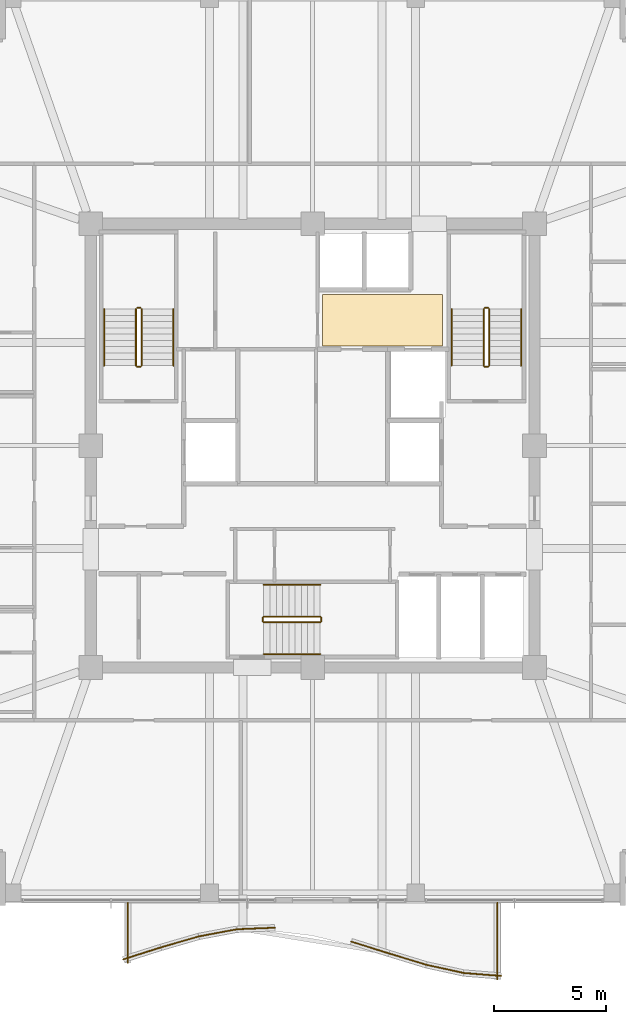
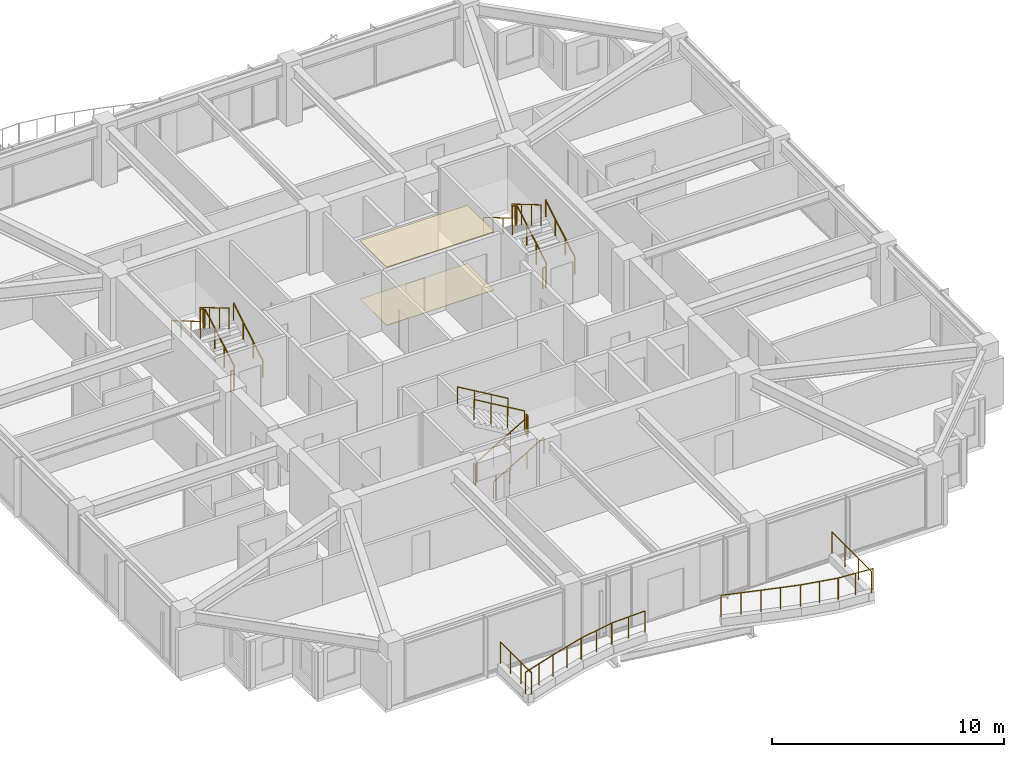
# One storey, part 35 of 36: 28 railings, 2 coverings.
"""IFC4 building model written with IfcOpenShell, lengths in metres."""

from ifc_helpers import new_model, si_unit, direction, frame, origin, origin_2d, place, context, subcontext, project, spatial, polyline, circle, outline, extrude, material, layer, layer_set, type_object, element, save


model = new_model("IFC4")

# Units and contexts
model_context = context("Model", 3, precision=1e-05, world=origin(), true_north=direction((0.0, 1.0)))
body_context = subcontext(model_context, "Body", "Model", "MODEL_VIEW")
ifc_project = project(units=[si_unit("LENGTHUNIT", "METRE"), si_unit("AREAUNIT", "SQUARE_METRE"), si_unit("VOLUMEUNIT", "CUBIC_METRE"), si_unit("PLANEANGLEUNIT", "RADIAN"), si_unit("MASSUNIT", "GRAM", prefix="KILO")], contexts=[model_context])

# Site, building, storey
site_placement = place(None, origin())
site = spatial("IfcSite", under=ifc_project, at=site_placement, CompositionType="ELEMENT")
building_placement = place(site_placement, origin())
building = spatial("IfcBuilding", under=site, at=building_placement, Name="Kolvaren Belvedere", CompositionType="ELEMENT")
storey_placement = place(building_placement, frame((0.0, 0.0, 196.5)))
storey = spatial("IfcBuildingStorey", under=building, at=storey_placement, Name="L57", CompositionType="ELEMENT", Elevation=196.5)

# Coverings
ifc_material_1 = material(Name="Acoustic perforated gypsum board", Category="gypsum")
ifc_layer_1 = layer(ifc_material_1, 0.02490234375)
ifc_layer_set_1 = layer_set([ifc_layer_1], Name="Acoustic perforated gypsum board")
covering_type_1 = type_object("IfcCoveringType", Name="COV-CEIL-GYP", PredefinedType="CEILING", material=ifc_layer_set_1)
covering_1_placement = place(storey_placement, frame((0.0, 0.0, 3.054931640625)))
element("IfcCovering", 1, at=covering_1_placement, inside=storey, type_object=covering_type_1, Name="L57 Lift Lobby Acoustic Baffle Ceiling", PredefinedType="CEILING", context=body_context, shape_type="SweptSolid", body=[
    extrude(outline(polyline([(0.449951171875, 4.449951171875), (5.800048828125, 4.449951171875), (5.800048828125, 6.75), (0.449951171875, 6.75), (0.449951171875, 4.449951171875)])), origin(), (0.0, 0.0, 1.0), 0.025146484375),
])
ifc_material_2 = material(Name="Engineered Pacific white oak", Category="timber")
ifc_layer_2 = layer(ifc_material_2, 0.02001953125)
ifc_layer_set_2 = layer_set([ifc_layer_2], Name="Engineered Pacific white oak")
covering_type_2 = type_object("IfcCoveringType", Name="COV-FLR-OAK", PredefinedType="FLOORING", material=ifc_layer_set_2)
covering_2_placement = place(storey_placement, origin())
element("IfcCovering", 2, at=covering_2_placement, inside=storey, type_object=covering_type_2, Name="L57 Lift Lobby Finish Flooring", PredefinedType="FLOORING", context=body_context, shape_type="SweptSolid", body=[
    extrude(outline(polyline([(0.449951171875, 4.449951171875), (5.800048828125, 4.449951171875), (5.800048828125, 6.75), (0.449951171875, 6.75), (0.449951171875, 4.449951171875)])), origin(), (0.0, 0.0, 1.0), 0.02001953125),
])

# Railings
ifc_material_3 = material(Name="Anodised pale-metal aluminium & laminated glass guard", Category="aluminium")
railing_type_1 = type_object("IfcRailingType", Name="RL-GUARD-1150", PredefinedType="GUARDRAIL", material=ifc_material_3)
railing_1_placement = place(storey_placement, frame((-8.448486328125, -22.92138671875, 0.3798828125)))
element("IfcRailing", 3, at=railing_1_placement, inside=storey, type_object=railing_type_1, Name="L57 Exterior Deck Safety Guard BAL-S-1", PredefinedType="GUARDRAIL", context=body_context, shape_type="SweptSolid", body=[
    extrude(circle(Radius=0.02392578125, at=origin_2d()), frame((0.0, 0.0, 1.1259765625), z_axis=(0.952661770826, 0.304032153573, 0.0), x_axis=(-0.304032153573, 0.952661770826, 0.0)), (0.0, 0.0, 1.0), 1.763427734375),
    extrude(circle(Radius=0.02099609375, at=origin_2d()), origin(), (0.0, 0.0, 1.0), 1.101806640625),
    extrude(circle(Radius=0.02099609375, at=origin_2d()), frame((0.83984375, 0.26806640625, 0.0)), (0.0, 0.0, 1.0), 1.101806640625),
    extrude(circle(Radius=0.02099609375, at=origin_2d()), frame((1.679931640625, 0.5361328125, 0.0)), (0.0, 0.0, 1.0), 1.101806640625),
])
railing_2_placement = place(storey_placement, frame((-6.764404296875, -22.3837890625, 0.3798828125)))
element("IfcRailing", 4, at=railing_2_placement, inside=storey, type_object=railing_type_1, Name="L57 Exterior Deck Safety Guard BAL-S-2", PredefinedType="GUARDRAIL", context=body_context, shape_type="SweptSolid", body=[
    extrude(circle(Radius=0.02392578125, at=origin_2d()), frame((0.0, 0.0, 1.1259765625), z_axis=(0.960633903819, 0.277817391164, 0.0), x_axis=(-0.277817391164, 0.960633903819, 0.0)), (0.0, 0.0, 1.0), 1.748779296875),
    extrude(circle(Radius=0.02099609375, at=origin_2d()), origin(), (0.0, 0.0, 1.0), 1.101806640625),
    extrude(circle(Radius=0.02099609375, at=origin_2d()), frame((0.83984375, 0.242919921875, 0.0)), (0.0, 0.0, 1.0), 1.101806640625),
    extrude(circle(Radius=0.02099609375, at=origin_2d()), frame((1.679931640625, 0.48583984375, 0.0)), (0.0, 0.0, 1.0), 1.101806640625),
])
railing_3_placement = place(storey_placement, frame((-5.069580078125, -21.894287109375, 0.3798828125)))
element("IfcRailing", 5, at=railing_3_placement, inside=storey, type_object=railing_type_1, Name="L57 Exterior Deck Safety Guard BAL-S-3", PredefinedType="GUARDRAIL", context=body_context, shape_type="SweptSolid", body=[
    extrude(circle(Radius=0.02392578125, at=origin_2d()), frame((0.0, 0.0, 1.1259765625), z_axis=(0.982799348901, 0.18467658162, 0.0), x_axis=(-0.18467658162, 0.982799348901, 0.0)), (0.0, 0.0, 1.0), 1.709228515625),
    extrude(circle(Radius=0.02099609375, at=origin_2d()), origin(), (0.0, 0.0, 1.0), 1.101806640625),
    extrude(circle(Radius=0.02099609375, at=origin_2d()), frame((0.83984375, 0.15771484375, 0.0)), (0.0, 0.0, 1.0), 1.101806640625),
    extrude(circle(Radius=0.02099609375, at=origin_2d()), frame((1.679931640625, 0.315673828125, 0.0)), (0.0, 0.0, 1.0), 1.101806640625),
])
railing_4_placement = place(storey_placement, frame((-3.366455078125, -21.575927734375, 0.3798828125)))
element("IfcRailing", 6, at=railing_4_placement, inside=storey, type_object=railing_type_1, Name="L57 Exterior Deck Safety Guard BAL-S-4", PredefinedType="GUARDRAIL", context=body_context, shape_type="SweptSolid", body=[
    extrude(circle(Radius=0.02392578125, at=origin_2d()), frame((0.0, 0.0, 1.1259765625), z_axis=(0.999196778482, 0.040072407855, 0.0), x_axis=(-0.040072407855, 0.999196778482, 0.0)), (0.0, 0.0, 1.0), 1.681640625),
    extrude(circle(Radius=0.02099609375, at=origin_2d()), origin(), (0.0, 0.0, 1.0), 1.101806640625),
    extrude(circle(Radius=0.02099609375, at=origin_2d()), frame((0.840087890625, 0.03369140625, 0.0)), (0.0, 0.0, 1.0), 1.101806640625),
    extrude(circle(Radius=0.02099609375, at=origin_2d()), frame((1.68017578125, 0.0673828125, 0.0)), (0.0, 0.0, 1.0), 1.101806640625),
])
railing_5_placement = place(storey_placement, frame((1.727783203125, -22.127685546875, 0.3798828125)))
element("IfcRailing", 7, at=railing_5_placement, inside=storey, type_object=railing_type_1, Name="L57 Exterior Deck Safety Guard BAL-S-7", PredefinedType="GUARDRAIL", context=body_context, shape_type="SweptSolid", body=[
    extrude(circle(Radius=0.02392578125, at=origin_2d()), frame((0.0, 0.0, 1.1259765625), z_axis=(0.954069594374, -0.299585061529, 0.0), x_axis=(0.299585061529, 0.954069594374, 0.0)), (0.0, 0.0, 1.0), 1.760986328125),
    extrude(circle(Radius=0.02099609375, at=origin_2d()), origin(), (0.0, 0.0, 1.0), 1.101806640625),
    extrude(circle(Radius=0.02099609375, at=origin_2d()), frame((0.840087890625, -0.263671875, 0.0)), (0.0, 0.0, 1.0), 1.101806640625),
    extrude(circle(Radius=0.02099609375, at=origin_2d()), frame((1.68017578125, -0.527587890625, 0.0)), (0.0, 0.0, 1.0), 1.101806640625),
])
railing_6_placement = place(storey_placement, frame((3.406494140625, -22.65478515625, 0.3798828125)))
element("IfcRailing", 8, at=railing_6_placement, inside=storey, type_object=railing_type_1, Name="L57 Exterior Deck Safety Guard BAL-S-8", PredefinedType="GUARDRAIL", context=body_context, shape_type="SweptSolid", body=[
    extrude(circle(Radius=0.02392578125, at=origin_2d()), frame((0.0, 0.0, 1.1259765625), z_axis=(0.956771481005, -0.290840734999, 0.0), x_axis=(0.290840734999, 0.956771481005, 0.0)), (0.0, 0.0, 1.0), 1.756103515625),
    extrude(circle(Radius=0.02099609375, at=origin_2d()), origin(), (0.0, 0.0, 1.0), 1.101806640625),
    extrude(circle(Radius=0.02099609375, at=origin_2d()), frame((0.840087890625, -0.25537109375, 0.0)), (0.0, 0.0, 1.0), 1.101806640625),
    extrude(circle(Radius=0.02099609375, at=origin_2d()), frame((1.68017578125, -0.5107421875, 0.0)), (0.0, 0.0, 1.0), 1.101806640625),
])
railing_7_placement = place(storey_placement, frame((5.07421875, -23.162353515625, 0.3798828125)))
element("IfcRailing", 9, at=railing_7_placement, inside=storey, type_object=railing_type_1, Name="L57 Exterior Deck Safety Guard BAL-S-9", PredefinedType="GUARDRAIL", context=body_context, shape_type="SweptSolid", body=[
    extrude(circle(Radius=0.02392578125, at=origin_2d()), frame((0.0, 0.0, 1.1259765625), z_axis=(0.976876857632, -0.213802724545, 0.0), x_axis=(0.213802724545, 0.976876857632, 0.0)), (0.0, 0.0, 1.0), 1.7197265625),
    extrude(circle(Radius=0.02099609375, at=origin_2d()), origin(), (0.0, 0.0, 1.0), 1.101806640625),
    extrude(circle(Radius=0.02099609375, at=origin_2d()), frame((0.83984375, -0.183837890625, 0.0)), (0.0, 0.0, 1.0), 1.101806640625),
    extrude(circle(Radius=0.02099609375, at=origin_2d()), frame((1.679931640625, -0.36767578125, 0.0)), (0.0, 0.0, 1.0), 1.101806640625),
])
railing_8_placement = place(storey_placement, frame((6.732666015625, -23.52685546875, 0.3798828125)))
element("IfcRailing", 10, at=railing_8_placement, inside=storey, type_object=railing_type_1, Name="L57 Exterior Deck Safety Guard BAL-S-10", PredefinedType="GUARDRAIL", context=body_context, shape_type="SweptSolid", body=[
    extrude(circle(Radius=0.02392578125, at=origin_2d()), frame((0.0, 0.0, 1.1259765625), z_axis=(0.99685522818, -0.079244268248, 0.0), x_axis=(0.079244268248, 0.99685522818, 0.0)), (0.0, 0.0, 1.0), 1.685302734375),
    extrude(circle(Radius=0.02099609375, at=origin_2d()), origin(), (0.0, 0.0, 1.0), 1.101806640625),
    extrude(circle(Radius=0.02099609375, at=origin_2d()), frame((0.83984375, -0.06689453125, 0.0)), (0.0, 0.0, 1.0), 1.101806640625),
    extrude(circle(Radius=0.02099609375, at=origin_2d()), frame((1.679931640625, -0.133544921875, 0.0)), (0.0, 0.0, 1.0), 1.101806640625),
])
railing_9_placement = place(storey_placement, frame((8.239990234375, -23.820068359375, 0.3798828125)))
element("IfcRailing", 11, at=railing_9_placement, inside=storey, type_object=railing_type_1, Name="L57 Exterior Deck Safety Guard BAL-S-11", PredefinedType="GUARDRAIL", context=body_context, shape_type="SweptSolid", body=[
    extrude(circle(Radius=0.02392578125, at=origin_2d()), frame((0.0, 0.0, 1.1259765625), z_axis=(0.0, 1.0, 0.0), x_axis=(-1.0, 0.0, 0.0)), (0.0, 0.0, 1.0), 3.420166015625),
    extrude(circle(Radius=0.02099609375, at=origin_2d()), origin(), (0.0, 0.0, 1.0), 1.101806640625),
    extrude(circle(Radius=0.02099609375, at=origin_2d()), frame((0.0, 1.14013671875, 0.0)), (0.0, 0.0, 1.0), 1.101806640625),
    extrude(circle(Radius=0.02099609375, at=origin_2d()), frame((0.0, 2.280029296875, 0.0)), (0.0, 0.0, 1.0), 1.101806640625),
    extrude(circle(Radius=0.02099609375, at=origin_2d()), frame((0.0, 3.420166015625, 0.0)), (0.0, 0.0, 1.0), 1.101806640625),
])
railing_10_placement = place(storey_placement, frame((-8.239990234375, -20.39990234375, 0.3798828125)))
element("IfcRailing", 12, at=railing_10_placement, inside=storey, type_object=railing_type_1, Name="L57 Exterior Deck Safety Guard BAL-S-22", PredefinedType="GUARDRAIL", context=body_context, shape_type="SweptSolid", body=[
    extrude(circle(Radius=0.02392578125, at=origin_2d()), frame((0.0, 0.0, 1.1259765625), z_axis=(0.0, -1.0, 0.0), x_axis=(1.0, 0.0, 0.0)), (0.0, 0.0, 1.0), 2.673828125),
    extrude(circle(Radius=0.02099609375, at=origin_2d()), origin(), (0.0, 0.0, 1.0), 1.101806640625),
    extrude(circle(Radius=0.02099609375, at=origin_2d()), frame((0.0, -0.891357421875, 0.0)), (0.0, 0.0, 1.0), 1.101806640625),
    extrude(circle(Radius=0.02099609375, at=origin_2d()), frame((0.0, -1.782470703125, 0.0)), (0.0, 0.0, 1.0), 1.101806640625),
    extrude(circle(Radius=0.02099609375, at=origin_2d()), frame((0.0, -2.673828125, 0.0)), (0.0, 0.0, 1.0), 1.101806640625),
])
ifc_material_4 = material(Name="Brushed stainless-steel handrail", Category="steel")
railing_type_2 = type_object("IfcRailingType", Name="RL-HANDRAIL-920", PredefinedType="HANDRAIL", material=ifc_material_4)
railing_11_placement = place(storey_placement, frame((-6.2099609375, 3.570068359375, 0.1650390625)))
element("IfcRailing", 13, at=railing_11_placement, inside=storey, type_object=railing_type_2, Name="L57 ST-1 stair handrail 1", PredefinedType="HANDRAIL", context=body_context, shape_type="SweptSolid", body=[
    extrude(circle(Radius=0.02392578125, at=origin_2d()), frame((0.0, 0.0, 0.8759765625), z_axis=(0.0, 0.861560626758, 0.507654692109), x_axis=(-1.0, 0.0, 0.0)), (0.0, 0.0, 1.0), 2.925048828125),
    extrude(circle(Radius=0.02099609375, at=origin_2d()), origin(), (0.0, 0.0, 1.0), 0.851806640625),
    extrude(circle(Radius=0.02099609375, at=origin_2d()), frame((0.0, 0.840087890625, 0.494873046875)), (0.0, 0.0, 1.0), 0.851806640625),
    extrude(circle(Radius=0.02099609375, at=origin_2d()), frame((0.0, 1.679931640625, 0.989990234375)), (0.0, 0.0, 1.0), 0.851806640625),
    extrude(circle(Radius=0.02099609375, at=origin_2d()), frame((0.0, 2.52001953125, 1.48486328125)), (0.0, 0.0, 1.0), 0.851806640625),
])
railing_12_placement = place(storey_placement, frame((-9.300048828125, 6.090087890625, 1.81494140625)))
element("IfcRailing", 14, at=railing_12_placement, inside=storey, type_object=railing_type_2, Name="L57 ST-1 stair handrail 2", PredefinedType="HANDRAIL", context=body_context, shape_type="SweptSolid", body=[
    extrude(circle(Radius=0.02392578125, at=origin_2d()), frame((0.0, 0.0, 0.8759765625), z_axis=(0.0, -0.86152411907, 0.507716645641), x_axis=(1.0, 0.0, 0.0)), (0.0, 0.0, 1.0), 2.925048828125),
    extrude(circle(Radius=0.02099609375, at=origin_2d()), origin(), (0.0, 0.0, 1.0), 0.851806640625),
    extrude(circle(Radius=0.02099609375, at=origin_2d()), frame((0.0, -0.840087890625, 0.4951171875)), (0.0, 0.0, 1.0), 0.851806640625),
    extrude(circle(Radius=0.02099609375, at=origin_2d()), frame((0.0, -1.679931640625, 0.989990234375)), (0.0, 0.0, 1.0), 0.851806640625),
    extrude(circle(Radius=0.02099609375, at=origin_2d()), frame((0.0, -2.52001953125, 1.485107421875)), (0.0, 0.0, 1.0), 0.851806640625),
])
railing_13_placement = place(storey_placement, frame((9.300048828125, 3.570068359375, 0.1650390625)))
element("IfcRailing", 15, at=railing_13_placement, inside=storey, type_object=railing_type_2, Name="L57 ST-2 stair handrail 1", PredefinedType="HANDRAIL", context=body_context, shape_type="SweptSolid", body=[
    extrude(circle(Radius=0.02392578125, at=origin_2d()), frame((0.0, 0.0, 0.8759765625), z_axis=(0.0, 0.861560626758, 0.507654692109), x_axis=(-1.0, 0.0, 0.0)), (0.0, 0.0, 1.0), 2.925048828125),
    extrude(circle(Radius=0.02099609375, at=origin_2d()), origin(), (0.0, 0.0, 1.0), 0.851806640625),
    extrude(circle(Radius=0.02099609375, at=origin_2d()), frame((0.0, 0.840087890625, 0.494873046875)), (0.0, 0.0, 1.0), 0.851806640625),
    extrude(circle(Radius=0.02099609375, at=origin_2d()), frame((0.0, 1.679931640625, 0.989990234375)), (0.0, 0.0, 1.0), 0.851806640625),
    extrude(circle(Radius=0.02099609375, at=origin_2d()), frame((0.0, 2.52001953125, 1.48486328125)), (0.0, 0.0, 1.0), 0.851806640625),
])
railing_14_placement = place(storey_placement, frame((6.2099609375, 6.090087890625, 1.81494140625)))
element("IfcRailing", 16, at=railing_14_placement, inside=storey, type_object=railing_type_2, Name="L57 ST-2 stair handrail 2", PredefinedType="HANDRAIL", context=body_context, shape_type="SweptSolid", body=[
    extrude(circle(Radius=0.02392578125, at=origin_2d()), frame((0.0, 0.0, 0.8759765625), z_axis=(0.0, -0.86152411907, 0.507716645641), x_axis=(1.0, 0.0, 0.0)), (0.0, 0.0, 1.0), 2.925048828125),
    extrude(circle(Radius=0.02099609375, at=origin_2d()), origin(), (0.0, 0.0, 1.0), 0.851806640625),
    extrude(circle(Radius=0.02099609375, at=origin_2d()), frame((0.0, -0.840087890625, 0.4951171875)), (0.0, 0.0, 1.0), 0.851806640625),
    extrude(circle(Radius=0.02099609375, at=origin_2d()), frame((0.0, -1.679931640625, 0.989990234375)), (0.0, 0.0, 1.0), 0.851806640625),
    extrude(circle(Radius=0.02099609375, at=origin_2d()), frame((0.0, -2.52001953125, 1.485107421875)), (0.0, 0.0, 1.0), 0.851806640625),
])
railing_15_placement = place(storey_placement, frame((-2.179931640625, -9.300048828125, 0.1650390625)))
element("IfcRailing", 17, at=railing_15_placement, inside=storey, type_object=railing_type_2, Name="L57 ST-3 stair handrail 1", PredefinedType="HANDRAIL", context=body_context, shape_type="SweptSolid", body=[
    extrude(circle(Radius=0.02392578125, at=origin_2d()), frame((0.0, 0.0, 0.8759765625), z_axis=(0.861560626758, 0.0, 0.507654692109), x_axis=(0.0, 1.0, 0.0)), (0.0, 0.0, 1.0), 2.925048828125),
    extrude(circle(Radius=0.02099609375, at=origin_2d()), origin(), (0.0, 0.0, 1.0), 0.851806640625),
    extrude(circle(Radius=0.02099609375, at=origin_2d()), frame((0.840087890625, 0.0, 0.494873046875)), (0.0, 0.0, 1.0), 0.851806640625),
    extrude(circle(Radius=0.02099609375, at=origin_2d()), frame((1.679931640625, 0.0, 0.989990234375)), (0.0, 0.0, 1.0), 0.851806640625),
    extrude(circle(Radius=0.02099609375, at=origin_2d()), frame((2.52001953125, 0.0, 1.48486328125)), (0.0, 0.0, 1.0), 0.851806640625),
])
railing_16_placement = place(storey_placement, frame((0.340087890625, -6.2099609375, 1.81494140625)))
element("IfcRailing", 18, at=railing_16_placement, inside=storey, type_object=railing_type_2, Name="L57 ST-3 stair handrail 2", PredefinedType="HANDRAIL", context=body_context, shape_type="SweptSolid", body=[
    extrude(circle(Radius=0.02392578125, at=origin_2d()), frame((0.0, 0.0, 0.8759765625), z_axis=(-0.86152411907, 0.0, 0.507716645641), x_axis=(0.0, -1.0, 0.0)), (0.0, 0.0, 1.0), 2.925048828125),
    extrude(circle(Radius=0.02099609375, at=origin_2d()), origin(), (0.0, 0.0, 1.0), 0.851806640625),
    extrude(circle(Radius=0.02099609375, at=origin_2d()), frame((-0.840087890625, 0.0, 0.4951171875)), (0.0, 0.0, 1.0), 0.851806640625),
    extrude(circle(Radius=0.02099609375, at=origin_2d()), frame((-1.679931640625, 0.0, 0.989990234375)), (0.0, 0.0, 1.0), 0.851806640625),
    extrude(circle(Radius=0.02099609375, at=origin_2d()), frame((-2.52001953125, 0.0, 1.485107421875)), (0.0, 0.0, 1.0), 0.851806640625),
])
ifc_material_5 = material(Name="Painted tubular steel stair guard", Category="steel")
railing_type_3 = type_object("IfcRailingType", Name="RL-STGUARD-1100", PredefinedType="GUARDRAIL", material=ifc_material_5)
railing_17_placement = place(storey_placement, frame((-7.6298828125, 3.570068359375, 0.1650390625)))
element("IfcRailing", 19, at=railing_17_placement, inside=storey, type_object=railing_type_3, Name="L57 ST-1 stair guard 1", PredefinedType="GUARDRAIL", context=body_context, shape_type="SweptSolid", body=[
    extrude(circle(Radius=0.02392578125, at=origin_2d()), frame((0.0, 0.0, 1.076171875), z_axis=(0.0, 0.861560626758, 0.507654692109), x_axis=(-1.0, 0.0, 0.0)), (0.0, 0.0, 1.0), 2.925048828125),
    extrude(circle(Radius=0.02099609375, at=origin_2d()), origin(), (0.0, 0.0, 1.0), 1.052001953125),
    extrude(circle(Radius=0.02099609375, at=origin_2d()), frame((0.0, 0.840087890625, 0.494873046875)), (0.0, 0.0, 1.0), 1.052001953125),
    extrude(circle(Radius=0.02099609375, at=origin_2d()), frame((0.0, 1.679931640625, 0.989990234375)), (0.0, 0.0, 1.0), 1.052001953125),
    extrude(circle(Radius=0.02099609375, at=origin_2d()), frame((0.0, 2.52001953125, 1.48486328125)), (0.0, 0.0, 1.0), 1.052001953125),
])
railing_18_placement = place(storey_placement, frame((-7.679931640625, 6.139892578125, 1.64990234375)))
element("IfcRailing", 20, at=railing_18_placement, inside=storey, type_object=railing_type_3, Name="L57 ST-1 stair guard 2", PredefinedType="GUARDRAIL", context=body_context, shape_type="SweptSolid", body=[
    extrude(circle(Radius=0.02392578125, at=origin_2d()), frame((0.0, 0.0, 1.076171875), z_axis=(-1.0, 0.0, 0.0), x_axis=(0.0, -1.0, 0.0)), (0.0, 0.0, 1.0), 0.150146484375),
    extrude(circle(Radius=0.02099609375, at=origin_2d()), origin(), (0.0, 0.0, 1.0), 1.052001953125),
    extrude(circle(Radius=0.02099609375, at=origin_2d()), frame((-0.150146484375, 0.0, 0.0)), (0.0, 0.0, 1.0), 1.052001953125),
])
railing_19_placement = place(storey_placement, frame((-7.8798828125, 6.090087890625, 1.81494140625)))
element("IfcRailing", 21, at=railing_19_placement, inside=storey, type_object=railing_type_3, Name="L57 ST-1 stair guard 3", PredefinedType="GUARDRAIL", context=body_context, shape_type="SweptSolid", body=[
    extrude(circle(Radius=0.02392578125, at=origin_2d()), frame((0.0, 0.0, 1.076171875), z_axis=(0.0, -0.86152411907, 0.507716645641), x_axis=(1.0, 0.0, 0.0)), (0.0, 0.0, 1.0), 2.925048828125),
    extrude(circle(Radius=0.02099609375, at=origin_2d()), origin(), (0.0, 0.0, 1.0), 1.052001953125),
    extrude(circle(Radius=0.02099609375, at=origin_2d()), frame((0.0, -0.840087890625, 0.4951171875)), (0.0, 0.0, 1.0), 1.052001953125),
    extrude(circle(Radius=0.02099609375, at=origin_2d()), frame((0.0, -1.679931640625, 0.989990234375)), (0.0, 0.0, 1.0), 1.052001953125),
    extrude(circle(Radius=0.02099609375, at=origin_2d()), frame((0.0, -2.52001953125, 1.485107421875)), (0.0, 0.0, 1.0), 1.052001953125),
])
railing_20_placement = place(storey_placement, frame((-7.679931640625, 3.52001953125, 0.0)))
element("IfcRailing", 22, at=railing_20_placement, inside=storey, type_object=railing_type_3, Name="L57 ST-1 stair guard 4", PredefinedType="GUARDRAIL", context=body_context, shape_type="SweptSolid", body=[
    extrude(circle(Radius=0.02392578125, at=origin_2d()), frame((0.0, 0.0, 1.076171875), z_axis=(-1.0, 0.0, 0.0), x_axis=(0.0, -1.0, 0.0)), (0.0, 0.0, 1.0), 0.150146484375),
    extrude(circle(Radius=0.02099609375, at=origin_2d()), origin(), (0.0, 0.0, 1.0), 1.052001953125),
    extrude(circle(Radius=0.02099609375, at=origin_2d()), frame((-0.150146484375, 0.0, 0.0)), (0.0, 0.0, 1.0), 1.052001953125),
])
railing_21_placement = place(storey_placement, frame((7.8798828125, 3.570068359375, 0.1650390625)))
element("IfcRailing", 23, at=railing_21_placement, inside=storey, type_object=railing_type_3, Name="L57 ST-2 stair guard 1", PredefinedType="GUARDRAIL", context=body_context, shape_type="SweptSolid", body=[
    extrude(circle(Radius=0.02392578125, at=origin_2d()), frame((0.0, 0.0, 1.076171875), z_axis=(0.0, 0.861560626758, 0.507654692109), x_axis=(-1.0, 0.0, 0.0)), (0.0, 0.0, 1.0), 2.925048828125),
    extrude(circle(Radius=0.02099609375, at=origin_2d()), origin(), (0.0, 0.0, 1.0), 1.052001953125),
    extrude(circle(Radius=0.02099609375, at=origin_2d()), frame((0.0, 0.840087890625, 0.494873046875)), (0.0, 0.0, 1.0), 1.052001953125),
    extrude(circle(Radius=0.02099609375, at=origin_2d()), frame((0.0, 1.679931640625, 0.989990234375)), (0.0, 0.0, 1.0), 1.052001953125),
    extrude(circle(Radius=0.02099609375, at=origin_2d()), frame((0.0, 2.52001953125, 1.48486328125)), (0.0, 0.0, 1.0), 1.052001953125),
])
railing_22_placement = place(storey_placement, frame((7.830078125, 6.139892578125, 1.64990234375)))
element("IfcRailing", 24, at=railing_22_placement, inside=storey, type_object=railing_type_3, Name="L57 ST-2 stair guard 2", PredefinedType="GUARDRAIL", context=body_context, shape_type="SweptSolid", body=[
    extrude(circle(Radius=0.02392578125, at=origin_2d()), frame((0.0, 0.0, 1.076171875), z_axis=(-1.0, 0.0, 0.0), x_axis=(0.0, -1.0, 0.0)), (0.0, 0.0, 1.0), 0.150146484375),
    extrude(circle(Radius=0.02099609375, at=origin_2d()), origin(), (0.0, 0.0, 1.0), 1.052001953125),
    extrude(circle(Radius=0.02099609375, at=origin_2d()), frame((-0.150146484375, 0.0, 0.0)), (0.0, 0.0, 1.0), 1.052001953125),
])
railing_23_placement = place(storey_placement, frame((7.6298828125, 6.090087890625, 1.81494140625)))
element("IfcRailing", 25, at=railing_23_placement, inside=storey, type_object=railing_type_3, Name="L57 ST-2 stair guard 3", PredefinedType="GUARDRAIL", context=body_context, shape_type="SweptSolid", body=[
    extrude(circle(Radius=0.02392578125, at=origin_2d()), frame((0.0, 0.0, 1.076171875), z_axis=(0.0, -0.86152411907, 0.507716645641), x_axis=(1.0, 0.0, 0.0)), (0.0, 0.0, 1.0), 2.925048828125),
    extrude(circle(Radius=0.02099609375, at=origin_2d()), origin(), (0.0, 0.0, 1.0), 1.052001953125),
    extrude(circle(Radius=0.02099609375, at=origin_2d()), frame((0.0, -0.840087890625, 0.4951171875)), (0.0, 0.0, 1.0), 1.052001953125),
    extrude(circle(Radius=0.02099609375, at=origin_2d()), frame((0.0, -1.679931640625, 0.989990234375)), (0.0, 0.0, 1.0), 1.052001953125),
    extrude(circle(Radius=0.02099609375, at=origin_2d()), frame((0.0, -2.52001953125, 1.485107421875)), (0.0, 0.0, 1.0), 1.052001953125),
])
railing_24_placement = place(storey_placement, frame((7.830078125, 3.52001953125, 0.0)))
element("IfcRailing", 26, at=railing_24_placement, inside=storey, type_object=railing_type_3, Name="L57 ST-2 stair guard 4", PredefinedType="GUARDRAIL", context=body_context, shape_type="SweptSolid", body=[
    extrude(circle(Radius=0.02392578125, at=origin_2d()), frame((0.0, 0.0, 1.076171875), z_axis=(-1.0, 0.0, 0.0), x_axis=(0.0, -1.0, 0.0)), (0.0, 0.0, 1.0), 0.150146484375),
    extrude(circle(Radius=0.02099609375, at=origin_2d()), origin(), (0.0, 0.0, 1.0), 1.052001953125),
    extrude(circle(Radius=0.02099609375, at=origin_2d()), frame((-0.150146484375, 0.0, 0.0)), (0.0, 0.0, 1.0), 1.052001953125),
])
railing_25_placement = place(storey_placement, frame((-2.179931640625, -7.8798828125, 0.1650390625)))
element("IfcRailing", 27, at=railing_25_placement, inside=storey, type_object=railing_type_3, Name="L57 ST-3 stair guard 1", PredefinedType="GUARDRAIL", context=body_context, shape_type="SweptSolid", body=[
    extrude(circle(Radius=0.02392578125, at=origin_2d()), frame((0.0, 0.0, 1.076171875), z_axis=(0.861560626758, 0.0, 0.507654692109), x_axis=(0.0, 1.0, 0.0)), (0.0, 0.0, 1.0), 2.925048828125),
    extrude(circle(Radius=0.02099609375, at=origin_2d()), origin(), (0.0, 0.0, 1.0), 1.052001953125),
    extrude(circle(Radius=0.02099609375, at=origin_2d()), frame((0.840087890625, 0.0, 0.494873046875)), (0.0, 0.0, 1.0), 1.052001953125),
    extrude(circle(Radius=0.02099609375, at=origin_2d()), frame((1.679931640625, 0.0, 0.989990234375)), (0.0, 0.0, 1.0), 1.052001953125),
    extrude(circle(Radius=0.02099609375, at=origin_2d()), frame((2.52001953125, 0.0, 1.48486328125)), (0.0, 0.0, 1.0), 1.052001953125),
])
railing_26_placement = place(storey_placement, frame((0.389892578125, -7.830078125, 1.64990234375)))
element("IfcRailing", 28, at=railing_26_placement, inside=storey, type_object=railing_type_3, Name="L57 ST-3 stair guard 2", PredefinedType="GUARDRAIL", context=body_context, shape_type="SweptSolid", body=[
    extrude(circle(Radius=0.02392578125, at=origin_2d()), frame((0.0, 0.0, 1.076171875), z_axis=(0.0, 1.0, 0.0), x_axis=(-1.0, 0.0, 0.0)), (0.0, 0.0, 1.0), 0.150146484375),
    extrude(circle(Radius=0.02099609375, at=origin_2d()), origin(), (0.0, 0.0, 1.0), 1.052001953125),
    extrude(circle(Radius=0.02099609375, at=origin_2d()), frame((0.0, 0.150146484375, 0.0)), (0.0, 0.0, 1.0), 1.052001953125),
])
railing_27_placement = place(storey_placement, frame((0.340087890625, -7.6298828125, 1.81494140625)))
element("IfcRailing", 29, at=railing_27_placement, inside=storey, type_object=railing_type_3, Name="L57 ST-3 stair guard 3", PredefinedType="GUARDRAIL", context=body_context, shape_type="SweptSolid", body=[
    extrude(circle(Radius=0.02392578125, at=origin_2d()), frame((0.0, 0.0, 1.076171875), z_axis=(-0.86152411907, 0.0, 0.507716645641), x_axis=(0.0, -1.0, 0.0)), (0.0, 0.0, 1.0), 2.925048828125),
    extrude(circle(Radius=0.02099609375, at=origin_2d()), origin(), (0.0, 0.0, 1.0), 1.052001953125),
    extrude(circle(Radius=0.02099609375, at=origin_2d()), frame((-0.840087890625, 0.0, 0.4951171875)), (0.0, 0.0, 1.0), 1.052001953125),
    extrude(circle(Radius=0.02099609375, at=origin_2d()), frame((-1.679931640625, 0.0, 0.989990234375)), (0.0, 0.0, 1.0), 1.052001953125),
    extrude(circle(Radius=0.02099609375, at=origin_2d()), frame((-2.52001953125, 0.0, 1.485107421875)), (0.0, 0.0, 1.0), 1.052001953125),
])
railing_28_placement = place(storey_placement, frame((-2.22998046875, -7.830078125, 0.0)))
element("IfcRailing", 30, at=railing_28_placement, inside=storey, type_object=railing_type_3, Name="L57 ST-3 stair guard 4", PredefinedType="GUARDRAIL", context=body_context, shape_type="SweptSolid", body=[
    extrude(circle(Radius=0.02392578125, at=origin_2d()), frame((0.0, 0.0, 1.076171875), z_axis=(0.0, 1.0, 0.0), x_axis=(-1.0, 0.0, 0.0)), (0.0, 0.0, 1.0), 0.150146484375),
    extrude(circle(Radius=0.02099609375, at=origin_2d()), origin(), (0.0, 0.0, 1.0), 1.052001953125),
    extrude(circle(Radius=0.02099609375, at=origin_2d()), frame((0.0, 0.150146484375, 0.0)), (0.0, 0.0, 1.0), 1.052001953125),
])

save(model, "model.ifc")
